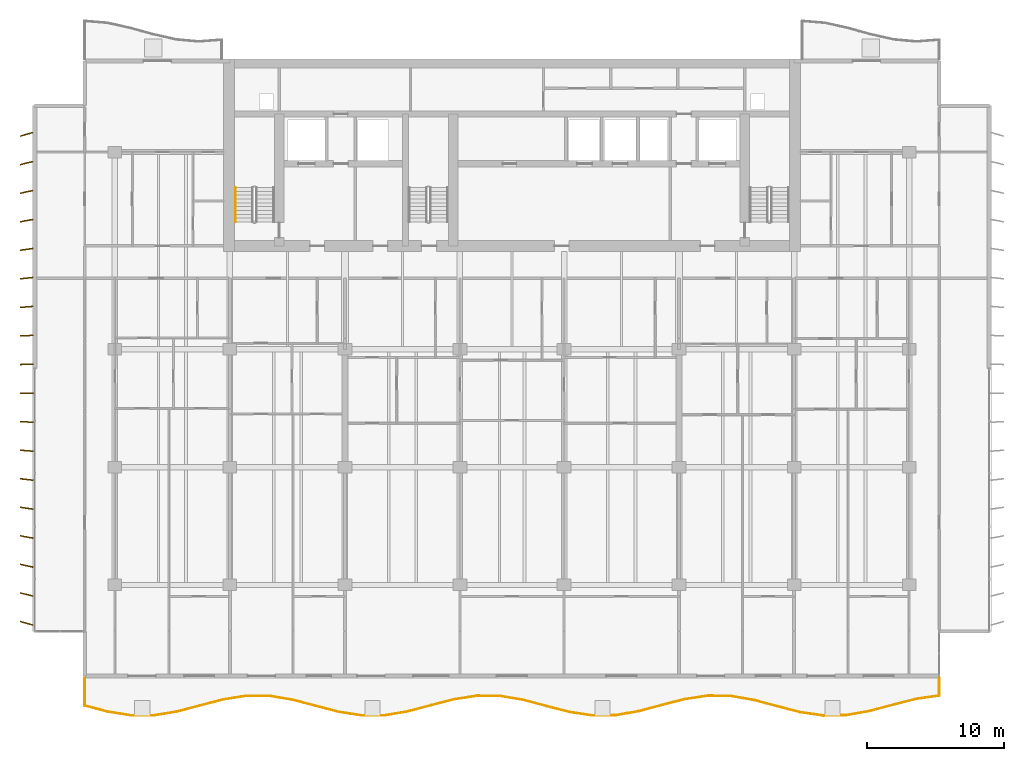
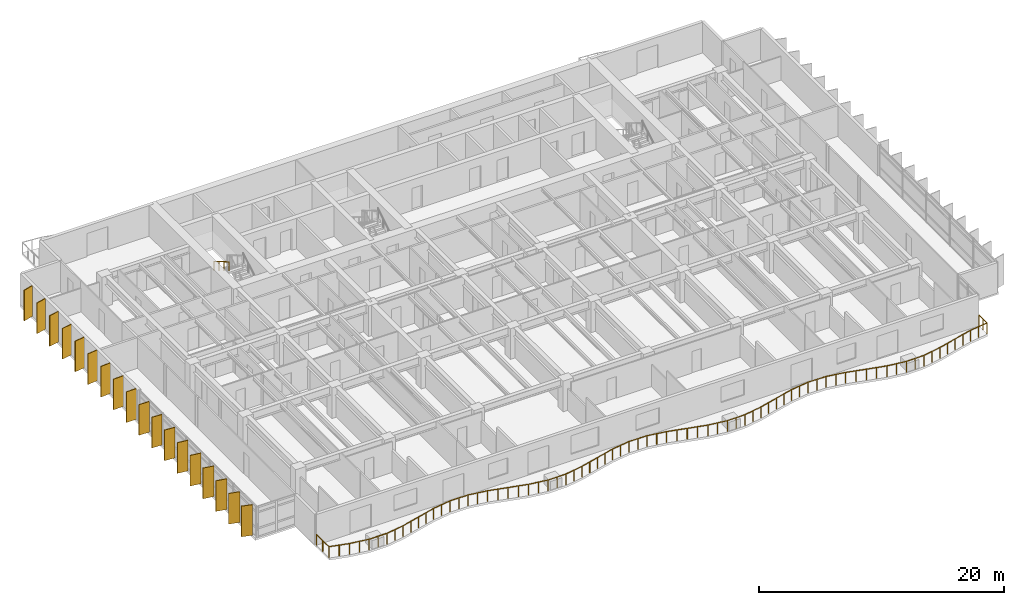
# One storey, part 13 of 16: 18 shading devices, 2 railings.
"""IFC4 building model written with IfcOpenShell, lengths in metres."""

from ifc_helpers import new_model, si_unit, direction, frame, origin, origin_2d, place, context, subcontext, project, spatial, rectangle, circle, extrude, material, material_profile, profile_set, type_object, element, save


model = new_model("IFC4")

# Units and contexts
model_context = context("Model", 3, precision=1e-05, world=origin(), true_north=direction((0.0, 1.0)))
body_context = subcontext(model_context, "Body", "Model", "MODEL_VIEW")
ifc_project = project(units=[si_unit("LENGTHUNIT", "METRE"), si_unit("AREAUNIT", "SQUARE_METRE"), si_unit("VOLUMEUNIT", "CUBIC_METRE"), si_unit("PLANEANGLEUNIT", "RADIAN"), si_unit("MASSUNIT", "GRAM", prefix="KILO")], contexts=[model_context])

# Site, building, storey
site_placement = place(None, origin())
site = spatial("IfcSite", under=ifc_project, at=site_placement, CompositionType="ELEMENT")
building_placement = place(site_placement, origin())
building = spatial("IfcBuilding", under=site, at=building_placement, Name="Caelmar Bay Residences", CompositionType="ELEMENT")
storey_placement = place(building_placement, frame((0.0, 0.0, 102.60009765625)))
storey = spatial("IfcBuildingStorey", under=building, at=storey_placement, Name="L27", CompositionType="ELEMENT", Elevation=102.60009765625)

# Railings
ifc_material_1 = material(Name="Anodised bronze handrail with laminated hurricane glass infill", Category="glass")
railing_type_1 = type_object("IfcRailingType", Name="RL-BAL-1100", PredefinedType="BALUSTRADE", material=ifc_material_1)
railing_1_placement = place(storey_placement, frame((7.699951171875, 5.39990234375, 0.0)))
element("IfcRailing", 1, at=railing_1_placement, inside=storey, type_object=railing_type_1, Name="L27 south Balcony Balustrade", PredefinedType="BALUSTRADE", context=body_context, shape_type="SweptSolid", body=[
    extrude(circle(Radius=0.02392578125, at=origin_2d()), frame((0.0, 0.0, 1.076171875), z_axis=(0.0, -1.0, 0.0), x_axis=(1.0, 0.0, 0.0)), (0.0, 0.0, 1.0), 2.02001953125),
    extrude(circle(Radius=0.02392578125, at=origin_2d()), frame((0.0, -2.02001953125, 1.076171875), z_axis=(0.96731172761, -0.253590263275, 0.0), x_axis=(0.253590263275, 0.96731172761, 0.0)), (0.0, 0.0, 1.0), 1.743408203125),
    extrude(circle(Radius=0.02392578125, at=origin_2d()), frame((1.6865234375, -2.462158203125, 1.076171875), z_axis=(0.987222996916, -0.159344765715, 0.0), x_axis=(0.159344765715, 0.987222996916, 0.0)), (0.0, 0.0, 1.0), 1.708251953125),
    extrude(circle(Radius=0.02392578125, at=origin_2d()), frame((3.373046875, -2.734375, 1.076171875), z_axis=(0.999998491217, 0.001737113766, 0.0), x_axis=(-0.001737113766, 0.999998491217, 0.0)), (0.0, 0.0, 1.0), 1.6865234375),
    extrude(circle(Radius=0.02392578125, at=origin_2d()), frame((5.0595703125, -2.7314453125, 1.076171875), z_axis=(0.986811582077, 0.16187310301, 0.0), x_axis=(-0.16187310301, 0.986811582077, 0.0)), (0.0, 0.0, 1.0), 1.708740234375),
    extrude(circle(Radius=0.02392578125, at=origin_2d()), frame((6.745849609375, -2.454833984375, 1.076171875), z_axis=(0.967036446825, 0.254637998954, 0.0), x_axis=(-0.254637998954, 0.967036446825, 0.0)), (0.0, 0.0, 1.0), 1.743896484375),
    extrude(circle(Radius=0.02392578125, at=origin_2d()), frame((8.432373046875, -2.0107421875, 1.076171875), z_axis=(0.967551794739, 0.252672761684, 0.0), x_axis=(-0.252672761684, 0.967551794739, 0.0)), (0.0, 0.0, 1.0), 1.7431640625),
    extrude(circle(Radius=0.02392578125, at=origin_2d()), frame((10.118896484375, -1.5703125, 1.076171875), z_axis=(0.987646769685, 0.156696708103, 0.0), x_axis=(-0.156696708103, 0.987646769685, 0.0)), (0.0, 0.0, 1.0), 1.70751953125),
    extrude(circle(Radius=0.02392578125, at=origin_2d()), frame((11.805419921875, -1.302734375, 1.076171875), z_axis=(0.999987165083, -0.005066524432, 0.0), x_axis=(0.005066524432, 0.999987165083, 0.0)), (0.0, 0.0, 1.0), 1.6865234375),
    extrude(circle(Radius=0.02392578125, at=origin_2d()), frame((13.491943359375, -1.311279296875, 1.076171875), z_axis=(0.986401641189, -0.164352676463, 0.0), x_axis=(0.164352676463, 0.986401641189, 0.0)), (0.0, 0.0, 1.0), 1.709716796875),
    extrude(circle(Radius=0.02392578125, at=origin_2d()), frame((15.178466796875, -1.59228515625, 1.076171875), z_axis=(0.966794774667, -0.255554032794, 0.0), x_axis=(0.255554032794, 0.966794774667, 0.0)), (0.0, 0.0, 1.0), 1.744384765625),
    extrude(circle(Radius=0.02392578125, at=origin_2d()), frame((16.864990234375, -2.0380859375, 1.076171875), z_axis=(0.967791109938, -0.251754577962, 0.0), x_axis=(0.251754577962, 0.967791109938, 0.0)), (0.0, 0.0, 1.0), 1.74267578125),
    extrude(circle(Radius=0.02392578125, at=origin_2d()), frame((18.551513671875, -2.476806640625, 1.076171875), z_axis=(0.988082163557, -0.153927379179, 0.0), x_axis=(0.153927379179, 0.988082163557, 0.0)), (0.0, 0.0, 1.0), 1.70654296875),
    extrude(circle(Radius=0.02392578125, at=origin_2d()), frame((20.23779296875, -2.739501953125, 1.076171875), z_axis=(0.999965959739, 0.008251021961, 0.0), x_axis=(-0.008251021961, 0.999965959739, 0.0)), (0.0, 0.0, 1.0), 1.6865234375),
    extrude(circle(Radius=0.02392578125, at=origin_2d()), frame((21.92431640625, -2.7255859375, 1.076171875), z_axis=(0.985958479003, 0.166990651481, 0.0), x_axis=(-0.166990651481, 0.985958479003, 0.0)), (0.0, 0.0, 1.0), 1.71044921875),
    extrude(circle(Radius=0.02392578125, at=origin_2d()), frame((23.61083984375, -2.43994140625, 1.076171875), z_axis=(0.966587033204, 0.256338657329, 0.0), x_axis=(-0.256338657329, 0.966587033204, 0.0)), (0.0, 0.0, 1.0), 1.744873046875),
    extrude(circle(Radius=0.02392578125, at=origin_2d()), frame((25.29736328125, -1.99267578125, 1.076171875), z_axis=(0.968063689917, 0.250704392192, 0.0), x_axis=(-0.250704392192, 0.968063689917, 0.0)), (0.0, 0.0, 1.0), 1.7421875),
    extrude(circle(Radius=0.02392578125, at=origin_2d()), frame((26.98388671875, -1.555908203125, 1.076171875), z_axis=(0.988474035302, 0.151390493536, 0.0), x_axis=(-0.151390493536, 0.988474035302, 0.0)), (0.0, 0.0, 1.0), 1.706298828125),
    extrude(circle(Radius=0.02392578125, at=origin_2d()), frame((28.67041015625, -1.297607421875, 1.076171875), z_axis=(0.999931262995, -0.011724729633, 0.0), x_axis=(0.011724729633, 0.999931262995, 0.0)), (0.0, 0.0, 1.0), 1.6865234375),
    extrude(circle(Radius=0.02392578125, at=origin_2d()), frame((30.35693359375, -1.3173828125, 1.076171875), z_axis=(0.985528412921, -0.169510316281, 0.0), x_axis=(0.169510316281, 0.985528412921, 0.0)), (0.0, 0.0, 1.0), 1.7109375),
    extrude(circle(Radius=0.02392578125, at=origin_2d()), frame((32.043212890625, -1.607421875, 1.076171875), z_axis=(0.966343976933, -0.257253412504, 0.0), x_axis=(0.257253412504, 0.966343976933, 0.0)), (0.0, 0.0, 1.0), 1.745361328125),
    extrude(circle(Radius=0.02392578125, at=origin_2d()), frame((33.729736328125, -2.056396484375, 1.076171875), z_axis=(0.968335282607, -0.249653320545, 0.0), x_axis=(0.249653320545, 0.968335282607, 0.0)), (0.0, 0.0, 1.0), 1.74169921875),
    extrude(circle(Radius=0.02392578125, at=origin_2d()), frame((35.416259765625, -2.4912109375, 1.076171875), z_axis=(0.988919545857, -0.148452456435, 0.0), x_axis=(0.148452456435, 0.988919545857, 0.0)), (0.0, 0.0, 1.0), 1.705322265625),
    extrude(circle(Radius=0.02392578125, at=origin_2d()), frame((37.102783203125, -2.744384765625, 1.076171875), z_axis=(0.999888860768, 0.014908591873, 0.0), x_axis=(-0.014908591873, 0.999888860768, 0.0)), (0.0, 0.0, 1.0), 1.686767578125),
    extrude(circle(Radius=0.02392578125, at=origin_2d()), frame((38.789306640625, -2.71923828125, 1.076171875), z_axis=(0.985100605881, 0.171979057715, 0.0), x_axis=(-0.171979057715, 0.985100605881, 0.0)), (0.0, 0.0, 1.0), 1.7119140625),
    extrude(circle(Radius=0.02392578125, at=origin_2d()), frame((40.475830078125, -2.4248046875, 1.076171875), z_axis=(0.966135051847, 0.258036938428, 0.0), x_axis=(-0.258036938428, 0.966135051847, 0.0)), (0.0, 0.0, 1.0), 1.74560546875),
    extrude(circle(Radius=0.02392578125, at=origin_2d()), frame((42.162353515625, -1.974365234375, 1.076171875), z_axis=(0.968630982277, 0.24850356169, 0.0), x_axis=(-0.24850356169, 0.968630982277, 0.0)), (0.0, 0.0, 1.0), 1.740966796875),
    extrude(circle(Radius=0.02392578125, at=origin_2d()), frame((43.8486328125, -1.541748046875, 1.076171875), z_axis=(0.989294770165, 0.1459310033, 0.0), x_axis=(-0.1459310033, 0.989294770165, 0.0)), (0.0, 0.0, 1.0), 1.704833984375),
    extrude(circle(Radius=0.02392578125, at=origin_2d()), frame((45.53515625, -1.29296875, 1.076171875), z_axis=(0.999831048242, -0.01838137567, 0.0), x_axis=(0.01838137567, 0.999831048242, 0.0)), (0.0, 0.0, 1.0), 1.686767578125),
    extrude(circle(Radius=0.02392578125, at=origin_2d()), frame((47.2216796875, -1.323974609375, 1.076171875), z_axis=(0.984662785192, -0.174468333682, 0.0), x_axis=(0.174468333682, 0.984662785192, 0.0)), (0.0, 0.0, 1.0), 1.712890625),
    extrude(circle(Radius=0.02392578125, at=origin_2d()), frame((48.908203125, -1.622802734375, 1.076171875), z_axis=(0.965960531679, -0.258689488073, 0.0), x_axis=(0.258689488073, 0.965960531679, 0.0)), (0.0, 0.0, 1.0), 1.745849609375),
    extrude(circle(Radius=0.02392578125, at=origin_2d()), frame((50.5947265625, -2.074462890625, 1.076171875), z_axis=(0.968909126405, -0.247416864357, 0.0), x_axis=(0.247416864357, 0.968909126405, 0.0)), (0.0, 0.0, 1.0), 1.74072265625),
    extrude(circle(Radius=0.02392578125, at=origin_2d()), frame((52.28125, -2.505126953125, 1.076171875), z_axis=(0.989701532203, -0.143146348729, 0.0), x_axis=(0.143146348729, 0.989701532203, 0.0)), (0.0, 0.0, 1.0), 1.703857421875),
    extrude(circle(Radius=0.02392578125, at=origin_2d()), frame((53.967529296875, -2.7490234375, 1.076171875), z_axis=(0.999764335416, 0.021708837625, 0.0), x_axis=(-0.021708837625, 0.999764335416, 0.0)), (0.0, 0.0, 1.0), 1.68701171875),
    extrude(circle(Radius=0.02392578125, at=origin_2d()), frame((55.654052734375, -2.71240234375, 1.076171875), z_axis=(0.98424387922, 0.176816249871, 0.0), x_axis=(-0.176816249871, 0.98424387922, 0.0)), (0.0, 0.0, 1.0), 1.713623046875),
    extrude(circle(Radius=0.02392578125, at=origin_2d()), frame((57.340576171875, -2.409423828125, 1.076171875), z_axis=(0.965750609382, 0.259472080344, 0.0), x_axis=(-0.259472080344, 0.965750609382, 0.0)), (0.0, 0.0, 1.0), 1.746337890625),
    extrude(circle(Radius=0.02392578125, at=origin_2d()), frame((59.027099609375, -1.956298828125, 1.076171875), z_axis=(0.969211107157, 0.246231252614, 0.0), x_axis=(-0.246231252614, 0.969211107157, 0.0)), (0.0, 0.0, 1.0), 1.739990234375),
    extrude(circle(Radius=0.02392578125, at=origin_2d()), frame((60.713623046875, -1.52783203125, 1.076171875), z_axis=(0.990106538764, 0.140317646417, 0.0), x_axis=(-0.140317646417, 0.990106538764, 0.0)), (0.0, 0.0, 1.0), 1.703369140625),
    extrude(circle(Radius=0.02392578125, at=origin_2d()), frame((62.400146484375, -1.288818359375, 1.076171875), z_axis=(0.0, 1.0, 0.0), x_axis=(-1.0, 0.0, 0.0)), (0.0, 0.0, 1.0), 1.288818359375),
    extrude(circle(Radius=0.02099609375, at=origin_2d()), origin(), (0.0, 0.0, 1.0), 1.052001953125),
    extrude(circle(Radius=0.02099609375, at=origin_2d()), frame((0.0, -1.010009765625, 0.0)), (0.0, 0.0, 1.0), 1.052001953125),
    extrude(circle(Radius=0.02099609375, at=origin_2d()), frame((0.0, -2.02001953125, 0.0)), (0.0, 0.0, 1.0), 1.052001953125),
    extrude(circle(Radius=0.02099609375, at=origin_2d()), frame((0.84326171875, -2.2412109375, 0.0)), (0.0, 0.0, 1.0), 1.052001953125),
    extrude(circle(Radius=0.02099609375, at=origin_2d()), frame((1.6865234375, -2.462158203125, 0.0)), (0.0, 0.0, 1.0), 1.052001953125),
    extrude(circle(Radius=0.02099609375, at=origin_2d()), frame((2.52978515625, -2.59814453125, 0.0)), (0.0, 0.0, 1.0), 1.052001953125),
    extrude(circle(Radius=0.02099609375, at=origin_2d()), frame((3.373046875, -2.734375, 0.0)), (0.0, 0.0, 1.0), 1.052001953125),
    extrude(circle(Radius=0.02099609375, at=origin_2d()), frame((4.21630859375, -2.73291015625, 0.0)), (0.0, 0.0, 1.0), 1.052001953125),
    extrude(circle(Radius=0.02099609375, at=origin_2d()), frame((5.0595703125, -2.7314453125, 0.0)), (0.0, 0.0, 1.0), 1.052001953125),
    extrude(circle(Radius=0.02099609375, at=origin_2d()), frame((5.90283203125, -2.59326171875, 0.0)), (0.0, 0.0, 1.0), 1.052001953125),
    extrude(circle(Radius=0.02099609375, at=origin_2d()), frame((6.745849609375, -2.454833984375, 0.0)), (0.0, 0.0, 1.0), 1.052001953125),
    extrude(circle(Radius=0.02099609375, at=origin_2d()), frame((7.589111328125, -2.23291015625, 0.0)), (0.0, 0.0, 1.0), 1.052001953125),
    extrude(circle(Radius=0.02099609375, at=origin_2d()), frame((8.432373046875, -2.0107421875, 0.0)), (0.0, 0.0, 1.0), 1.052001953125),
    extrude(circle(Radius=0.02099609375, at=origin_2d()), frame((9.275634765625, -1.79052734375, 0.0)), (0.0, 0.0, 1.0), 1.052001953125),
    extrude(circle(Radius=0.02099609375, at=origin_2d()), frame((10.118896484375, -1.5703125, 0.0)), (0.0, 0.0, 1.0), 1.052001953125),
    extrude(circle(Radius=0.02099609375, at=origin_2d()), frame((10.962158203125, -1.4365234375, 0.0)), (0.0, 0.0, 1.0), 1.052001953125),
    extrude(circle(Radius=0.02099609375, at=origin_2d()), frame((11.805419921875, -1.302734375, 0.0)), (0.0, 0.0, 1.0), 1.052001953125),
    extrude(circle(Radius=0.02099609375, at=origin_2d()), frame((12.648681640625, -1.30712890625, 0.0)), (0.0, 0.0, 1.0), 1.052001953125),
    extrude(circle(Radius=0.02099609375, at=origin_2d()), frame((13.491943359375, -1.311279296875, 0.0)), (0.0, 0.0, 1.0), 1.052001953125),
    extrude(circle(Radius=0.02099609375, at=origin_2d()), frame((14.335205078125, -1.45166015625, 0.0)), (0.0, 0.0, 1.0), 1.052001953125),
    extrude(circle(Radius=0.02099609375, at=origin_2d()), frame((15.178466796875, -1.59228515625, 0.0)), (0.0, 0.0, 1.0), 1.052001953125),
    extrude(circle(Radius=0.02099609375, at=origin_2d()), frame((16.021728515625, -1.815185546875, 0.0)), (0.0, 0.0, 1.0), 1.052001953125),
    extrude(circle(Radius=0.02099609375, at=origin_2d()), frame((16.864990234375, -2.0380859375, 0.0)), (0.0, 0.0, 1.0), 1.052001953125),
    extrude(circle(Radius=0.02099609375, at=origin_2d()), frame((17.708251953125, -2.25732421875, 0.0)), (0.0, 0.0, 1.0), 1.052001953125),
    extrude(circle(Radius=0.02099609375, at=origin_2d()), frame((18.551513671875, -2.476806640625, 0.0)), (0.0, 0.0, 1.0), 1.052001953125),
    extrude(circle(Radius=0.02099609375, at=origin_2d()), frame((19.39453125, -2.608154296875, 0.0)), (0.0, 0.0, 1.0), 1.052001953125),
    extrude(circle(Radius=0.02099609375, at=origin_2d()), frame((20.23779296875, -2.739501953125, 0.0)), (0.0, 0.0, 1.0), 1.052001953125),
    extrude(circle(Radius=0.02099609375, at=origin_2d()), frame((21.0810546875, -2.732421875, 0.0)), (0.0, 0.0, 1.0), 1.052001953125),
    extrude(circle(Radius=0.02099609375, at=origin_2d()), frame((21.92431640625, -2.7255859375, 0.0)), (0.0, 0.0, 1.0), 1.052001953125),
    extrude(circle(Radius=0.02099609375, at=origin_2d()), frame((22.767578125, -2.582763671875, 0.0)), (0.0, 0.0, 1.0), 1.052001953125),
    extrude(circle(Radius=0.02099609375, at=origin_2d()), frame((23.61083984375, -2.43994140625, 0.0)), (0.0, 0.0, 1.0), 1.052001953125),
    extrude(circle(Radius=0.02099609375, at=origin_2d()), frame((24.4541015625, -2.21630859375, 0.0)), (0.0, 0.0, 1.0), 1.052001953125),
    extrude(circle(Radius=0.02099609375, at=origin_2d()), frame((25.29736328125, -1.99267578125, 0.0)), (0.0, 0.0, 1.0), 1.052001953125),
    extrude(circle(Radius=0.02099609375, at=origin_2d()), frame((26.140625, -1.7744140625, 0.0)), (0.0, 0.0, 1.0), 1.052001953125),
    extrude(circle(Radius=0.02099609375, at=origin_2d()), frame((26.98388671875, -1.555908203125, 0.0)), (0.0, 0.0, 1.0), 1.052001953125),
    extrude(circle(Radius=0.02099609375, at=origin_2d()), frame((27.8271484375, -1.4267578125, 0.0)), (0.0, 0.0, 1.0), 1.052001953125),
    extrude(circle(Radius=0.02099609375, at=origin_2d()), frame((28.67041015625, -1.297607421875, 0.0)), (0.0, 0.0, 1.0), 1.052001953125),
    extrude(circle(Radius=0.02099609375, at=origin_2d()), frame((29.513671875, -1.3076171875, 0.0)), (0.0, 0.0, 1.0), 1.052001953125),
    extrude(circle(Radius=0.02099609375, at=origin_2d()), frame((30.35693359375, -1.3173828125, 0.0)), (0.0, 0.0, 1.0), 1.052001953125),
    extrude(circle(Radius=0.02099609375, at=origin_2d()), frame((31.2001953125, -1.46240234375, 0.0)), (0.0, 0.0, 1.0), 1.052001953125),
    extrude(circle(Radius=0.02099609375, at=origin_2d()), frame((32.043212890625, -1.607421875, 0.0)), (0.0, 0.0, 1.0), 1.052001953125),
    extrude(circle(Radius=0.02099609375, at=origin_2d()), frame((32.886474609375, -1.83203125, 0.0)), (0.0, 0.0, 1.0), 1.052001953125),
    extrude(circle(Radius=0.02099609375, at=origin_2d()), frame((33.729736328125, -2.056396484375, 0.0)), (0.0, 0.0, 1.0), 1.052001953125),
    extrude(circle(Radius=0.02099609375, at=origin_2d()), frame((34.572998046875, -2.27392578125, 0.0)), (0.0, 0.0, 1.0), 1.052001953125),
    extrude(circle(Radius=0.02099609375, at=origin_2d()), frame((35.416259765625, -2.4912109375, 0.0)), (0.0, 0.0, 1.0), 1.052001953125),
    extrude(circle(Radius=0.02099609375, at=origin_2d()), frame((36.259521484375, -2.61767578125, 0.0)), (0.0, 0.0, 1.0), 1.052001953125),
    extrude(circle(Radius=0.02099609375, at=origin_2d()), frame((37.102783203125, -2.744384765625, 0.0)), (0.0, 0.0, 1.0), 1.052001953125),
    extrude(circle(Radius=0.02099609375, at=origin_2d()), frame((37.946044921875, -2.73193359375, 0.0)), (0.0, 0.0, 1.0), 1.052001953125),
    extrude(circle(Radius=0.02099609375, at=origin_2d()), frame((38.789306640625, -2.71923828125, 0.0)), (0.0, 0.0, 1.0), 1.052001953125),
    extrude(circle(Radius=0.02099609375, at=origin_2d()), frame((39.632568359375, -2.572021484375, 0.0)), (0.0, 0.0, 1.0), 1.052001953125),
    extrude(circle(Radius=0.02099609375, at=origin_2d()), frame((40.475830078125, -2.4248046875, 0.0)), (0.0, 0.0, 1.0), 1.052001953125),
    extrude(circle(Radius=0.02099609375, at=origin_2d()), frame((41.319091796875, -2.19970703125, 0.0)), (0.0, 0.0, 1.0), 1.052001953125),
    extrude(circle(Radius=0.02099609375, at=origin_2d()), frame((42.162353515625, -1.974365234375, 0.0)), (0.0, 0.0, 1.0), 1.052001953125),
    extrude(circle(Radius=0.02099609375, at=origin_2d()), frame((43.00537109375, -1.758056640625, 0.0)), (0.0, 0.0, 1.0), 1.052001953125),
    extrude(circle(Radius=0.02099609375, at=origin_2d()), frame((43.8486328125, -1.541748046875, 0.0)), (0.0, 0.0, 1.0), 1.052001953125),
    extrude(circle(Radius=0.02099609375, at=origin_2d()), frame((44.69189453125, -1.41748046875, 0.0)), (0.0, 0.0, 1.0), 1.052001953125),
    extrude(circle(Radius=0.02099609375, at=origin_2d()), frame((45.53515625, -1.29296875, 0.0)), (0.0, 0.0, 1.0), 1.052001953125),
    extrude(circle(Radius=0.02099609375, at=origin_2d()), frame((46.37841796875, -1.30859375, 0.0)), (0.0, 0.0, 1.0), 1.052001953125),
    extrude(circle(Radius=0.02099609375, at=origin_2d()), frame((47.2216796875, -1.323974609375, 0.0)), (0.0, 0.0, 1.0), 1.052001953125),
    extrude(circle(Radius=0.02099609375, at=origin_2d()), frame((48.06494140625, -1.473388671875, 0.0)), (0.0, 0.0, 1.0), 1.052001953125),
    extrude(circle(Radius=0.02099609375, at=origin_2d()), frame((48.908203125, -1.622802734375, 0.0)), (0.0, 0.0, 1.0), 1.052001953125),
    extrude(circle(Radius=0.02099609375, at=origin_2d()), frame((49.75146484375, -1.8486328125, 0.0)), (0.0, 0.0, 1.0), 1.052001953125),
    extrude(circle(Radius=0.02099609375, at=origin_2d()), frame((50.5947265625, -2.074462890625, 0.0)), (0.0, 0.0, 1.0), 1.052001953125),
    extrude(circle(Radius=0.02099609375, at=origin_2d()), frame((51.43798828125, -2.289794921875, 0.0)), (0.0, 0.0, 1.0), 1.052001953125),
    extrude(circle(Radius=0.02099609375, at=origin_2d()), frame((52.28125, -2.505126953125, 0.0)), (0.0, 0.0, 1.0), 1.052001953125),
    extrude(circle(Radius=0.02099609375, at=origin_2d()), frame((53.12451171875, -2.626953125, 0.0)), (0.0, 0.0, 1.0), 1.052001953125),
    extrude(circle(Radius=0.02099609375, at=origin_2d()), frame((53.967529296875, -2.7490234375, 0.0)), (0.0, 0.0, 1.0), 1.052001953125),
    extrude(circle(Radius=0.02099609375, at=origin_2d()), frame((54.810791015625, -2.730712890625, 0.0)), (0.0, 0.0, 1.0), 1.052001953125),
    extrude(circle(Radius=0.02099609375, at=origin_2d()), frame((55.654052734375, -2.71240234375, 0.0)), (0.0, 0.0, 1.0), 1.052001953125),
    extrude(circle(Radius=0.02099609375, at=origin_2d()), frame((56.497314453125, -2.56103515625, 0.0)), (0.0, 0.0, 1.0), 1.052001953125),
    extrude(circle(Radius=0.02099609375, at=origin_2d()), frame((57.340576171875, -2.409423828125, 0.0)), (0.0, 0.0, 1.0), 1.052001953125),
    extrude(circle(Radius=0.02099609375, at=origin_2d()), frame((58.183837890625, -2.182861328125, 0.0)), (0.0, 0.0, 1.0), 1.052001953125),
    extrude(circle(Radius=0.02099609375, at=origin_2d()), frame((59.027099609375, -1.956298828125, 0.0)), (0.0, 0.0, 1.0), 1.052001953125),
    extrude(circle(Radius=0.02099609375, at=origin_2d()), frame((59.870361328125, -1.7421875, 0.0)), (0.0, 0.0, 1.0), 1.052001953125),
    extrude(circle(Radius=0.02099609375, at=origin_2d()), frame((60.713623046875, -1.52783203125, 0.0)), (0.0, 0.0, 1.0), 1.052001953125),
    extrude(circle(Radius=0.02099609375, at=origin_2d()), frame((61.556884765625, -1.408203125, 0.0)), (0.0, 0.0, 1.0), 1.052001953125),
    extrude(circle(Radius=0.02099609375, at=origin_2d()), frame((62.400146484375, -1.288818359375, 0.0)), (0.0, 0.0, 1.0), 1.052001953125),
    extrude(circle(Radius=0.02099609375, at=origin_2d()), frame((62.400146484375, -0.64453125, 0.0)), (0.0, 0.0, 1.0), 1.052001953125),
    extrude(circle(Radius=0.02099609375, at=origin_2d()), frame((62.400146484375, 0.0, 0.0)), (0.0, 0.0, 1.0), 1.052001953125),
])
ifc_material_2 = material(Name="Brushed bronze stainless-steel tubular handrail 900 mm", Category="steel")
railing_type_2 = type_object("IfcRailingType", Name="RL-HND-900", PredefinedType="HANDRAIL", material=ifc_material_2)
railing_2_placement = place(storey_placement, frame((18.699951171875, 41.219970703125, 1.81494140625)))
element("IfcRailing", 2, at=railing_2_placement, inside=storey, type_object=railing_type_2, Name="L27 ST1 stair handrail 2", PredefinedType="HANDRAIL", context=body_context, shape_type="SweptSolid", body=[
    extrude(circle(Radius=0.02392578125, at=origin_2d()), frame((0.0, 0.0, 0.8759765625), z_axis=(0.0, -0.861560626758, 0.507654692109), x_axis=(1.0, 0.0, 0.0)), (0.0, 0.0, 1.0), 2.925048828125),
    extrude(circle(Radius=0.02099609375, at=origin_2d()), origin(), (0.0, 0.0, 1.0), 0.851806640625),
    extrude(circle(Radius=0.02099609375, at=origin_2d()), frame((0.0, -0.840087890625, 0.494873046875)), (0.0, 0.0, 1.0), 0.851806640625),
    extrude(circle(Radius=0.02099609375, at=origin_2d()), frame((0.0, -1.679931640625, 0.989990234375)), (0.0, 0.0, 1.0), 0.851806640625),
    extrude(circle(Radius=0.02099609375, at=origin_2d()), frame((0.0, -2.52001953125, 1.48486328125)), (0.0, 0.0, 1.0), 0.851806640625),
])

# Shading devices
ifc_material_3 = material(Name="Anodised architectural bronze aluminium 6063-T6", Category="aluminium")
ifc_material_profile = material_profile(ifc_material_3, rectangle(XDim=0.074951171875, YDim=0.949951171875, at=origin_2d()), Name="BRONZE-FIN-75X950")
ifc_profile_set = profile_set([ifc_material_profile], Name="Anodised architectural bronze aluminium 6063-T6")
shading_device_type = type_object("IfcShadingDeviceType", Name="SHD-FIN-950", PredefinedType="USERDEFINED", material=ifc_profile_set)
for number, where, z_axis, x_axis, name in (
    (3, (3.449951171875, 9.39990234375, 0.0), (0.0, 0.0, 1.0), (0.275637355817, 0.961261695938, 0.0), "L27 West Bronze Solar Fin 1"),
    (4, (3.449951171875, 11.5, 0.0), (0.0, 0.0, 1.0), (0.243953546137, 0.969786918517, 0.0), "L27 West Bronze Solar Fin 2"),
    (5, (3.449951171875, 13.60009765625, 0.0), (0.0, 0.0, 1.0), (0.212007109922, 0.977268123568, 0.0), "L27 West Bronze Solar Fin 3"),
    (6, (3.449951171875, 15.699951171875, 0.0), (0.0, 0.0, 1.0), (0.179660748593, 0.98372862895, 0.0), "L27 West Bronze Solar Fin 4"),
    (7, (3.449951171875, 17.800048828125, 0.0), (0.0, 0.0, 1.0), (0.147291543397, 0.989093120613, 0.0), "L27 West Bronze Solar Fin 5"),
    (8, (3.449951171875, 19.89990234375, 0.0), (0.0, 0.0, 1.0), (0.114763772489, 0.993392810787, 0.0), "L27 West Bronze Solar Fin 6"),
    (9, (3.449951171875, 22.0, 0.0), (0.0, 0.0, 1.0), (0.08211245342, 0.996623070671, 0.0), "L27 West Bronze Solar Fin 7"),
    (10, (3.449951171875, 24.10009765625, 0.0), (0.0, 0.0, 1.0), (0.049198415926, 0.998789024705, 0.0), "L27 West Bronze Solar Fin 8"),
    (11, (3.449951171875, 26.199951171875, 0.0), (0.0, 0.0, 1.0), (0.016405359001, 0.999865423043, 0.0), "L27 West Bronze Solar Fin 9"),
    (12, (3.449951171875, 28.300048828125, 0.0), (0.0, 0.0, 1.0), (-0.016405359001, 0.999865423043, 0.0), "L27 West Bronze Solar Fin 10"),
    (13, (3.449951171875, 30.39990234375, 0.0), (0.0, 0.0, 1.0), (-0.049198415926, 0.998789024705, 0.0), "L27 West Bronze Solar Fin 11"),
    (14, (3.449951171875, 32.5, 0.0), (0.0, 0.0, 1.0), (-0.08211245342, 0.996623070671, 0.0), "L27 West Bronze Solar Fin 12"),
    (15, (3.449951171875, 34.60009765625, 0.0), (0.0, 0.0, 1.0), (-0.114763772489, 0.993392810787, 0.0), "L27 West Bronze Solar Fin 13"),
    (16, (3.449951171875, 36.699951171875, 0.0), (0.0, 0.0, 1.0), (-0.147291543397, 0.989093120613, 0.0), "L27 West Bronze Solar Fin 14"),
    (17, (3.449951171875, 38.800048828125, 0.0), (0.0, 0.0, 1.0), (-0.179660748593, 0.98372862895, 0.0), "L27 West Bronze Solar Fin 15"),
    (18, (3.449951171875, 40.89990234375, 0.0), (0.0, 0.0, 1.0), (-0.212007109922, 0.977268123568, 0.0), "L27 West Bronze Solar Fin 16"),
    (19, (3.449951171875, 43.0, 0.0), (0.0, 0.0, 1.0), (-0.243953546137, 0.969786918517, 0.0), "L27 West Bronze Solar Fin 17"),
    (20, (3.449951171875, 45.10009765625, 0.0), (0.0, 0.0, 1.0), (-0.275637355817, 0.961261695938, 0.0), "L27 West Bronze Solar Fin 18"),
):
    element("IfcShadingDevice", number, at=place(storey_placement, frame(where, z_axis=z_axis, x_axis=x_axis)), inside=storey, type_object=shading_device_type, Name=name, ObjectType="FIN", PredefinedType="USERDEFINED", context=body_context, shape_type="SweptSolid", body=[
        extrude(rectangle(XDim=0.074951171875, YDim=0.949951171875, at=origin_2d()), origin(), (0.0, 0.0, 1.0), 3.0498046875),
    ])

save(model, "model.ifc")
